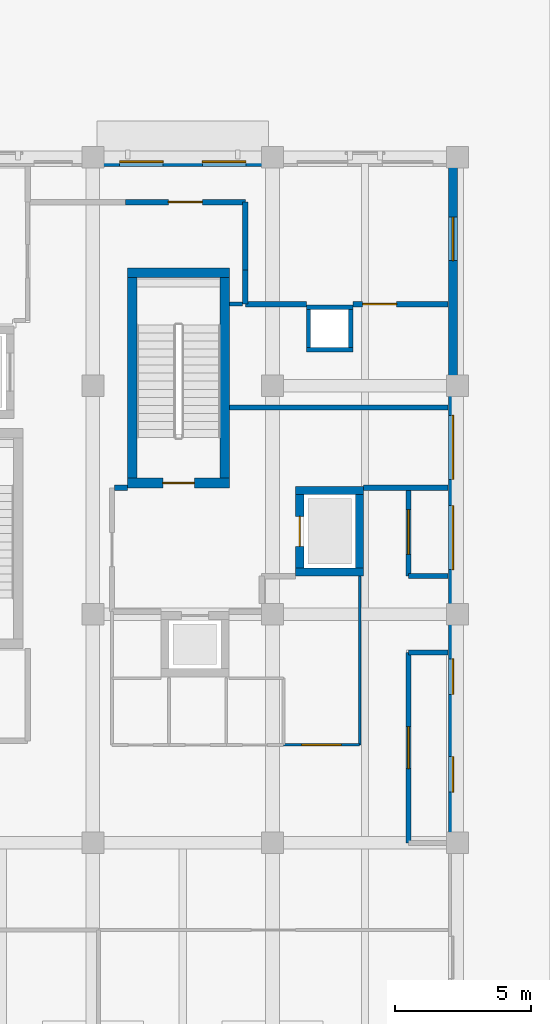
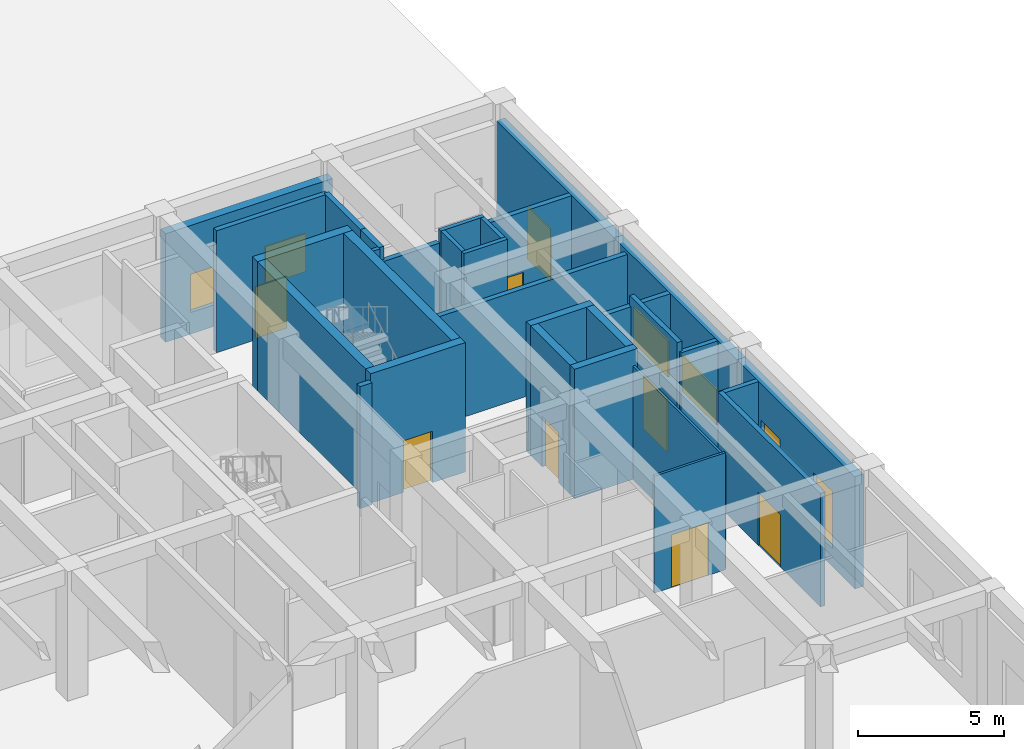
# One storey, part 63 of 82: 31 walls, 8 doors, 6 windows, 14 openings.
"""IFC4 building model written with IfcOpenShell, lengths in metres."""

from ifc_helpers import new_model, si_unit, direction, frame, frame_2d, origin, place, context, subcontext, project, spatial, rectangle, extrude, material, layer, layer_set, type_object, element, fill, save


model = new_model("IFC4")

# Units and contexts
model_context = context("Model", 3, precision=1e-05, world=origin(), true_north=direction((0.0, 1.0)))
body_context = subcontext(model_context, "Body", "Model", "MODEL_VIEW")
ifc_project = project(units=[si_unit("LENGTHUNIT", "METRE"), si_unit("AREAUNIT", "SQUARE_METRE"), si_unit("VOLUMEUNIT", "CUBIC_METRE"), si_unit("PLANEANGLEUNIT", "RADIAN"), si_unit("MASSUNIT", "GRAM", prefix="KILO")], contexts=[model_context])

# Site, building, storey
site_placement = place(None, origin())
site = spatial("IfcSite", under=ifc_project, at=site_placement, CompositionType="ELEMENT")
building_placement = place(site_placement, origin())
building = spatial("IfcBuilding", under=site, at=building_placement, Name="Kolvaren Faculty of Natural Sciences", CompositionType="ELEMENT")
storey_placement = place(building_placement, origin())
storey = spatial("IfcBuildingStorey", under=building, at=storey_placement, Name="L00", CompositionType="ELEMENT", Elevation=0.0)

# Wall, opening, door
ifc_material_1 = material(Name="Concrete C40/50", Category="concrete")
ifc_layer_1 = layer(ifc_material_1, 0.35009765625)
ifc_layer_set_1 = layer_set([ifc_layer_1], Name="Concrete C40/50")
wall_type_1 = type_object("IfcWallType", Name="CoreShearWall_350", PredefinedType="SHEAR", material=ifc_layer_set_1)
wall_1_placement = place(storey_placement, frame((163.625, 72.22509765625, 0.0), z_axis=(0.0, 0.0, 1.0), x_axis=(-1.0, 0.0, 0.0)))
wall_1 = element("IfcWall", 1, at=wall_1_placement, inside=storey, type_object=wall_type_1, Name="L00 CORE-C1 stair shear wall S", PredefinedType="SHEAR", context=body_context, shape_type="SweptSolid", body=[
    extrude(rectangle(XDim=3.75, YDim=0.35009765625, at=frame_2d((1.875, 0.0))), origin(), (0.0, 0.0, 1.0), 5.39990234375),
])
opening_1_placement = place(wall_1_placement, frame((1.300048828125, 0.0, 0.0)))
opening_1 = element("IfcOpeningElement", 2, at=opening_1_placement, cuts=wall_1, Name="Opening FD90", PredefinedType="OPENING", context=body_context, shape_type="SweptSolid", body=[
    extrude(rectangle(XDim=1.14990234375, YDim=2.14990234375, at=frame_2d((0.574951171875, 1.074951171875))), frame((0.0, 0.18505859375, 0.0), z_axis=(0.0, -1.0, 0.0), x_axis=(1.0, 0.0, 0.0)), (0.0, 0.0, 1.0), 0.3701171875),
])
ifc_material_2 = material(Name="Fire-rated solid-core hardwood door leaf in steel frame", Category="steel")
door_type_1 = type_object("IfcDoorType", Name="StairCoreFireDoor_1150x2150", OperationType="NOTDEFINED", PredefinedType="DOOR", material=ifc_material_2)
door_1_placement = place(opening_1_placement, origin())
door_1 = element("IfcDoor", 3, at=door_1_placement, inside=storey, type_object=door_type_1, Name="D-ST-ST-1-L00", OperationType="SINGLE_SWING_RIGHT", OverallHeight=2.14990234375, OverallWidth=1.14990234375, PredefinedType="DOOR", context=body_context, shape_type="SweptSolid", body=[
    extrude(rectangle(XDim=1.14990234375, YDim=2.14990234375, at=frame_2d((0.574951171875, 1.074951171875))), frame((0.0, 0.02490234375, 0.0), z_axis=(0.0, -1.0, 0.0), x_axis=(1.0, 0.0, 0.0)), (0.0, 0.0, 1.0), 0.050048828125),
])
fill(opening_1, door_1)

# Walls
wall_2_placement = place(storey_placement, frame((159.875, 79.949951171875, 0.0), z_axis=(0.0, 0.0, 1.0), x_axis=(1.0, 0.0, 0.0)))
element("IfcWall", 4, at=wall_2_placement, inside=storey, type_object=wall_type_1, Name="L00 CORE-C1 stair shear wall N", PredefinedType="SHEAR", context=body_context, shape_type="SweptSolid", body=[
    extrude(rectangle(XDim=3.75, YDim=0.35009765625, at=frame_2d((1.875, 0.0))), origin(), (0.0, 0.0, 1.0), 5.39990234375),
])
for number, where, z_axis, x_axis, name in (
    (5, (160.050048828125, 72.39990234375, 0.0), (0.0, 0.0, 1.0), (0.0, 1.0, 0.0), "L00 CORE-C1 stair shear wall W"),
    (6, (163.449951171875, 72.39990234375, 0.0), (0.0, 0.0, 1.0), (0.0, 1.0, 0.0), "L00 CORE-C1 stair shear wall E"),
):
    element("IfcWall", number, at=place(storey_placement, frame(where, z_axis=z_axis, x_axis=x_axis)), inside=storey, type_object=wall_type_1, Name=name, PredefinedType="SHEAR", context=body_context, shape_type="SweptSolid", body=[
        extrude(rectangle(XDim=7.375, YDim=0.35009765625, at=frame_2d((3.6875, 0.0))), origin(), (0.0, 0.0, 1.0), 5.39990234375),
    ])
ifc_material_3 = material(Name="Acoustic mineral-wool insulated gypsum partition")
ifc_layer_2 = layer(ifc_material_3, 0.094970703125)
ifc_layer_set_2 = layer_set([ifc_layer_2], Name="Acoustic mineral-wool insulated gypsum partition")
wall_type_2 = type_object("IfcWallType", Name="CubiclePartition_095", PredefinedType="PARTITIONING", material=ifc_layer_set_2)
wall_3_placement = place(storey_placement, frame((168.39990234375, 68.798095703125, 0.0), z_axis=(0.0, 0.0, 1.0), x_axis=(0.0, -1.0, 0.0)))
element("IfcWall", 7, at=wall_3_placement, inside=storey, type_object=wall_type_2, Name="L00 interior partition PW-095", PredefinedType="PARTITIONING", context=body_context, shape_type="SweptSolid", body=[
    extrude(rectangle(XDim=6.197998046875, YDim=0.094970703125, at=frame_2d((3.09912109375, 0.0))), origin(), (0.0, 0.0, 1.0), 4.735107421875),
])

# Wall, opening, door
wall_4_placement = place(storey_placement, frame((168.39990234375, 62.60009765625, 0.0), z_axis=(0.0, 0.0, 1.0), x_axis=(-1.0, 0.0, 0.0)))
wall_4 = element("IfcWall", 8, at=wall_4_placement, inside=storey, type_object=wall_type_2, Name="L00 interior partition PW-095", PredefinedType="PARTITIONING", context=body_context, shape_type="SweptSolid", body=[
    extrude(rectangle(XDim=2.7998046875, YDim=0.094970703125, at=frame_2d((1.39990234375, 0.0))), origin(), (0.0, 0.0, 1.0), 4.885009765625),
])
opening_2_placement = place(wall_4_placement, frame((0.669921875, 0.0, 0.0)))
opening_2 = element("IfcOpeningElement", 9, at=opening_2_placement, cuts=wall_4, Name="Opening ID-32", PredefinedType="OPENING", context=body_context, shape_type="SweptSolid", body=[
    extrude(rectangle(XDim=1.4599609375, YDim=2.199951171875, at=frame_2d((0.72998046875, 1.10009765625))), frame((0.0, 0.057373046875, 0.0), z_axis=(0.0, -1.0, 0.0), x_axis=(1.0, 0.0, 0.0)), (0.0, 0.0, 1.0), 0.114990234375),
])
ifc_material_4 = material(Name="Thermally broken anodised aluminium glazed door", Category="aluminium")
door_type_2 = type_object("IfcDoorType", Name="InteriorRoomDoor_1460x2200", OperationType="DOUBLE_DOOR_SINGLE_SWING", PredefinedType="DOOR", material=ifc_material_4)
door_2_placement = place(opening_2_placement, origin())
door_2 = element("IfcDoor", 10, at=door_2_placement, inside=storey, type_object=door_type_2, Name="D-L00-0095", OperationType="DOUBLE_DOOR_SINGLE_SWING", OverallHeight=2.199951171875, OverallWidth=1.4599609375, PredefinedType="DOOR", context=body_context, shape_type="SweptSolid", body=[
    extrude(rectangle(XDim=1.4599609375, YDim=2.199951171875, at=frame_2d((0.72998046875, 1.10009765625))), frame((0.0, 0.02490234375, 0.0), z_axis=(0.0, -1.0, 0.0), x_axis=(1.0, 0.0, 0.0)), (0.0, 0.0, 1.0), 0.050048828125),
])
fill(opening_2, door_2)

# Wall, openings, windows
ifc_material_5 = material(Name="Sandstone-faced insulated cavity masonry", Category="masonry")
ifc_layer_3 = layer(ifc_material_5, 0.340087890625)
ifc_layer_set_3 = layer_set([ifc_layer_3], Name="Sandstone-faced insulated cavity masonry")
wall_type_3 = type_object("IfcWallType", Name="ExteriorCavityWall_340", PredefinedType="STANDARD", material=ifc_layer_set_3)
wall_5_placement = place(storey_placement, frame((158.60009765625, 84.030029296875, 0.0), z_axis=(0.0, 0.0, 1.0), x_axis=(1.0, 0.0, 0.0)))
wall_5 = element("IfcWall", 11, at=wall_5_placement, inside=storey, type_object=wall_type_3, Name="L00 exterior masonry wall EW-340 (116)", PredefinedType="STANDARD", context=body_context, shape_type="SweptSolid", body=[
    extrude(rectangle(XDim=6.599853515625, YDim=0.340087890625, at=frame_2d((3.2998046875, 0.0))), origin(), (0.0, 0.0, 1.0), 4.534912109375),
])
opening_3_placement = place(wall_5_placement, frame((0.98193359375, 0.0, 0.89990234375)))
opening_3 = element("IfcOpeningElement", 12, at=opening_3_placement, cuts=wall_5, Name="Opening WIN-15", PredefinedType="OPENING", context=body_context, shape_type="SweptSolid", body=[
    extrude(rectangle(XDim=1.60009765625, YDim=1.60009765625, at=frame_2d((0.800048828125, 0.800048828125))), frame((0.0, 0.179931640625, 0.0), z_axis=(0.0, -1.0, 0.0), x_axis=(1.0, 0.0, 0.0)), (0.0, 0.0, 1.0), 0.360107421875),
])
opening_4_placement = place(wall_5_placement, frame((4.01806640625, 0.0, 0.89990234375)))
opening_4 = element("IfcOpeningElement", 13, at=opening_4_placement, cuts=wall_5, Name="Opening WIN-15", PredefinedType="OPENING", context=body_context, shape_type="SweptSolid", body=[
    extrude(rectangle(XDim=1.60009765625, YDim=1.60009765625, at=frame_2d((0.800048828125, 0.800048828125))), frame((0.0, 0.179931640625, 0.0), z_axis=(0.0, -1.0, 0.0), x_axis=(1.0, 0.0, 0.0)), (0.0, 0.0, 1.0), 0.360107421875),
])
ifc_material_6 = material(Name="Double low-E solar control insulated glazing", Category="glass")
window_type_1 = type_object("IfcWindowType", Name="AluWindow_WIN15_1600x1600", PartitioningType="SINGLE_PANEL", PredefinedType="WINDOW", material=ifc_material_6)
window_1_placement = place(opening_3_placement, origin())
window_1 = element("IfcWindow", 14, at=window_1_placement, inside=storey, type_object=window_type_1, Name="WIN-L00-0107", OverallHeight=1.60009765625, OverallWidth=1.60009765625, PartitioningType="SINGLE_PANEL", PredefinedType="WINDOW", context=body_context, shape_type="SweptSolid", body=[
    extrude(rectangle(XDim=1.60009765625, YDim=1.60009765625, at=frame_2d((0.800048828125, 0.800048828125))), frame((0.0, 0.030029296875, 0.0), z_axis=(0.0, -1.0, 0.0), x_axis=(1.0, 0.0, 0.0)), (0.0, 0.0, 1.0), 0.06005859375),
])
fill(opening_3, window_1)
window_2_placement = place(opening_4_placement, origin())
window_2 = element("IfcWindow", 15, at=window_2_placement, inside=storey, type_object=window_type_1, Name="WIN-L00-0108", OverallHeight=1.60009765625, OverallWidth=1.60009765625, PartitioningType="SINGLE_PANEL", PredefinedType="WINDOW", context=body_context, shape_type="SweptSolid", body=[
    extrude(rectangle(XDim=1.60009765625, YDim=1.60009765625, at=frame_2d((0.800048828125, 0.800048828125))), frame((0.0, 0.030029296875, 0.0), z_axis=(0.0, -1.0, 0.0), x_axis=(1.0, 0.0, 0.0)), (0.0, 0.0, 1.0), 0.06005859375),
])
fill(opening_4, window_2)

# Wall, opening, door
wall_6_placement = place(storey_placement, frame((171.830078125, 83.860107421875, 0.0), z_axis=(0.0, 0.0, 1.0), x_axis=(0.0, -1.0, 0.0)))
wall_6 = element("IfcWall", 16, at=wall_6_placement, inside=storey, type_object=wall_type_3, Name="L00 exterior masonry wall EW-340 (118)", PredefinedType="STANDARD", context=body_context, shape_type="SweptSolid", body=[
    extrude(rectangle(XDim=8.06005859375, YDim=0.340087890625, at=frame_2d((4.030029296875, 0.0))), origin(), (0.0, 0.0, 1.0), 4.68505859375),
])
opening_5_placement = place(wall_6_placement, frame((1.860107421875, 0.0, 0.0)))
opening_5 = element("IfcOpeningElement", 17, at=opening_5_placement, cuts=wall_6, Name="Opening ED-03", PredefinedType="OPENING", context=body_context, shape_type="SweptSolid", body=[
    extrude(rectangle(XDim=1.60009765625, YDim=2.199951171875, at=frame_2d((0.800048828125, 1.10009765625))), frame((0.0, 0.179931640625, 0.0), z_axis=(0.0, -1.0, 0.0), x_axis=(1.0, 0.0, 0.0)), (0.0, 0.0, 1.0), 0.360107421875),
])
ifc_material_7 = material(Name="Thermally broken anodised aluminium framing", Category="aluminium")
door_type_3 = type_object("IfcDoorType", Name="FinalExitDoubleDoor_1600x2200", OperationType="DOUBLE_DOOR_SINGLE_SWING", PredefinedType="DOOR", material=ifc_material_7)
door_3_placement = place(opening_5_placement, origin())
door_3 = element("IfcDoor", 18, at=door_3_placement, inside=storey, type_object=door_type_3, Name="D-L00-EX-11", OperationType="DOUBLE_DOOR_SINGLE_SWING", OverallHeight=2.199951171875, OverallWidth=1.60009765625, PredefinedType="DOOR", context=body_context, shape_type="SweptSolid", body=[
    extrude(rectangle(XDim=1.60009765625, YDim=2.199951171875, at=frame_2d((0.800048828125, 1.10009765625))), frame((0.0, 0.02490234375, 0.0), z_axis=(0.0, -1.0, 0.0), x_axis=(1.0, 0.0, 0.0)), (0.0, 0.0, 1.0), 0.050048828125),
])
fill(opening_5, door_3)

# Wall, openings, windows
wall_7_placement = place(storey_placement, frame((171.830078125, 75.800048828125, 0.0), z_axis=(0.0, 0.0, 1.0), x_axis=(0.0, -1.0, 0.0)))
wall_7 = element("IfcWall", 19, at=wall_7_placement, inside=storey, type_object=wall_type_3, Name="L00 exterior masonry wall EW-340 (119)", PredefinedType="STANDARD", context=body_context, shape_type="SweptSolid", body=[
    extrude(rectangle(XDim=8.400146484375, YDim=0.340087890625, at=frame_2d((4.2001953125, 0.0))), origin(), (0.0, 0.0, 1.0), 4.68505859375),
])
opening_6_placement = place(wall_7_placement, frame((1.093017578125, 0.0, 0.89990234375)))
opening_6 = element("IfcOpeningElement", 20, at=opening_6_placement, cuts=wall_7, Name="Opening WIN-18", PredefinedType="OPENING", context=body_context, shape_type="SweptSolid", body=[
    extrude(rectangle(XDim=2.35009765625, YDim=1.5, at=frame_2d((1.175048828125, 0.75))), frame((0.0, 0.179931640625, 0.0), z_axis=(0.0, -1.0, 0.0), x_axis=(1.0, 0.0, 0.0)), (0.0, 0.0, 1.0), 0.360107421875),
])
opening_7_placement = place(wall_7_placement, frame((4.409912109375, 0.0, 0.89990234375)))
opening_7 = element("IfcOpeningElement", 21, at=opening_7_placement, cuts=wall_7, Name="Opening WIN-18", PredefinedType="OPENING", context=body_context, shape_type="SweptSolid", body=[
    extrude(rectangle(XDim=2.35009765625, YDim=1.5, at=frame_2d((1.175048828125, 0.75))), frame((0.0, 0.179931640625, 0.0), z_axis=(0.0, -1.0, 0.0), x_axis=(1.0, 0.0, 0.0)), (0.0, 0.0, 1.0), 0.360107421875),
])
window_type_2 = type_object("IfcWindowType", Name="AluWindow_WIN18_2350x1500", PartitioningType="SINGLE_PANEL", PredefinedType="WINDOW", material=ifc_material_6)
window_3_placement = place(opening_6_placement, origin())
window_3 = element("IfcWindow", 22, at=window_3_placement, inside=storey, type_object=window_type_2, Name="WIN-L00-0111", OverallHeight=1.5, OverallWidth=2.35009765625, PartitioningType="SINGLE_PANEL", PredefinedType="WINDOW", context=body_context, shape_type="SweptSolid", body=[
    extrude(rectangle(XDim=2.35009765625, YDim=1.5, at=frame_2d((1.175048828125, 0.75))), frame((0.0, 0.030029296875, 0.0), z_axis=(0.0, -1.0, 0.0), x_axis=(1.0, 0.0, 0.0)), (0.0, 0.0, 1.0), 0.06005859375),
])
fill(opening_6, window_3)
window_4_placement = place(opening_7_placement, origin())
window_4 = element("IfcWindow", 23, at=window_4_placement, inside=storey, type_object=window_type_2, Name="WIN-L00-0112", OverallHeight=1.5, OverallWidth=2.35009765625, PartitioningType="SINGLE_PANEL", PredefinedType="WINDOW", context=body_context, shape_type="SweptSolid", body=[
    extrude(rectangle(XDim=2.35009765625, YDim=1.5, at=frame_2d((1.175048828125, 0.75))), frame((0.0, 0.030029296875, 0.0), z_axis=(0.0, -1.0, 0.0), x_axis=(1.0, 0.0, 0.0)), (0.0, 0.0, 1.0), 0.06005859375),
])
fill(opening_7, window_4)

wall_8_placement = place(storey_placement, frame((171.830078125, 67.39990234375, 0.0), z_axis=(0.0, 0.0, 1.0), x_axis=(0.0, -1.0, 0.0)))
wall_8 = element("IfcWall", 24, at=wall_8_placement, inside=storey, type_object=wall_type_3, Name="L00 exterior masonry wall EW-340 (120)", PredefinedType="STANDARD", context=body_context, shape_type="SweptSolid", body=[
    extrude(rectangle(XDim=8.059814453125, YDim=0.340087890625, at=frame_2d((4.02978515625, 0.0))), origin(), (0.0, 0.0, 1.0), 4.68505859375),
])
opening_8_placement = place(wall_8_placement, frame((1.639892578125, 0.0, 0.75)))
opening_8 = element("IfcOpeningElement", 25, at=opening_8_placement, cuts=wall_8, Name="Opening WIN-19", PredefinedType="OPENING", context=body_context, shape_type="SweptSolid", body=[
    extrude(rectangle(XDim=1.300048828125, YDim=2.39990234375, at=frame_2d((0.64990234375, 1.199951171875))), frame((0.0, 0.179931640625, 0.0), z_axis=(0.0, -1.0, 0.0), x_axis=(1.0, 0.0, 0.0)), (0.0, 0.0, 1.0), 0.360107421875),
])
opening_9_placement = place(wall_8_placement, frame((5.23388671875, 0.0, 0.75)))
opening_9 = element("IfcOpeningElement", 26, at=opening_9_placement, cuts=wall_8, Name="Opening WIN-19", PredefinedType="OPENING", context=body_context, shape_type="SweptSolid", body=[
    extrude(rectangle(XDim=1.300048828125, YDim=2.39990234375, at=frame_2d((0.64990234375, 1.199951171875))), frame((0.0, 0.179931640625, 0.0), z_axis=(0.0, -1.0, 0.0), x_axis=(1.0, 0.0, 0.0)), (0.0, 0.0, 1.0), 0.360107421875),
])
window_type_3 = type_object("IfcWindowType", Name="AluWindow_WIN19_1300x2400", PartitioningType="SINGLE_PANEL", PredefinedType="WINDOW", material=ifc_material_6)
window_5_placement = place(opening_8_placement, origin())
window_5 = element("IfcWindow", 27, at=window_5_placement, inside=storey, type_object=window_type_3, Name="WIN-L00-0113", OverallHeight=2.39990234375, OverallWidth=1.300048828125, PartitioningType="SINGLE_PANEL", PredefinedType="WINDOW", context=body_context, shape_type="SweptSolid", body=[
    extrude(rectangle(XDim=1.300048828125, YDim=2.39990234375, at=frame_2d((0.64990234375, 1.199951171875))), frame((0.0, 0.030029296875, 0.0), z_axis=(0.0, -1.0, 0.0), x_axis=(1.0, 0.0, 0.0)), (0.0, 0.0, 1.0), 0.06005859375),
])
fill(opening_8, window_5)
window_6_placement = place(opening_9_placement, origin())
window_6 = element("IfcWindow", 28, at=window_6_placement, inside=storey, type_object=window_type_3, Name="WIN-L00-0114", OverallHeight=2.39990234375, OverallWidth=1.300048828125, PartitioningType="SINGLE_PANEL", PredefinedType="WINDOW", context=body_context, shape_type="SweptSolid", body=[
    extrude(rectangle(XDim=1.300048828125, YDim=2.39990234375, at=frame_2d((0.64990234375, 1.199951171875))), frame((0.0, 0.030029296875, 0.0), z_axis=(0.0, -1.0, 0.0), x_axis=(1.0, 0.0, 0.0)), (0.0, 0.0, 1.0), 0.06005859375),
])
fill(opening_9, window_6)

# Walls
ifc_material_8 = material(Name="Autoclaved aerated fire-rated masonry blockwork", Category="masonry")
ifc_layer_4 = layer(ifc_material_8, 0.199951171875)
ifc_layer_set_4 = layer_set([ifc_layer_4], Name="Autoclaved aerated fire-rated masonry blockwork")
wall_type_4 = type_object("IfcWallType", Name="FireLobbyWall_200", PredefinedType="PARTITIONING", material=ifc_layer_set_4)
wall_9_placement = place(storey_placement, frame((163.626953125, 75.0, 0.0), z_axis=(0.0, 0.0, 1.0), x_axis=(1.0, 0.0, 0.0)))
element("IfcWall", 29, at=wall_9_placement, inside=storey, type_object=wall_type_4, Name="L00 interior partition FW-200", PredefinedType="PARTITIONING", context=body_context, shape_type="SweptSolid", body=[
    extrude(rectangle(XDim=8.031005859375, YDim=0.199951171875, at=frame_2d((4.015625, 0.0))), origin(), (0.0, 0.0, 1.0), 4.534912109375),
])
wall_10_placement = place(storey_placement, frame((171.657958984375, 72.050048828125, 0.0), z_axis=(0.0, 0.0, 1.0), x_axis=(-1.0, 0.0, 0.0)))
element("IfcWall", 30, at=wall_10_placement, inside=storey, type_object=wall_type_4, Name="L00 interior partition FW-200", PredefinedType="PARTITIONING", context=body_context, shape_type="SweptSolid", body=[
    extrude(rectangle(XDim=3.10791015625, YDim=0.199951171875, at=frame_2d((1.553955078125, 0.0))), origin(), (0.0, 0.0, 1.0), 4.68505859375),
])
wall_11_placement = place(storey_placement, frame((159.39990234375, 72.050048828125, 0.0), z_axis=(0.0, 0.0, 1.0), x_axis=(1.0, 0.0, 0.0)))
element("IfcWall", 31, at=wall_11_placement, inside=storey, type_object=wall_type_4, Name="L00 interior partition FW-200", PredefinedType="PARTITIONING", context=body_context, shape_type="SweptSolid", body=[
    extrude(rectangle(XDim=0.47509765625, YDim=0.199951171875, at=frame_2d((0.237548828125, 0.0))), origin(), (0.0, 0.0, 1.0), 5.094970703125),
])

# Wall, opening, door
wall_12_placement = place(storey_placement, frame((164.199951171875, 82.550048828125, 0.0), z_axis=(0.0, 0.0, 1.0), x_axis=(-1.0, 0.0, 0.0)))
wall_12 = element("IfcWall", 32, at=wall_12_placement, inside=storey, type_object=wall_type_4, Name="L00 interior partition FW-200", PredefinedType="PARTITIONING", context=body_context, shape_type="SweptSolid", body=[
    extrude(rectangle(XDim=4.39990234375, YDim=0.199951171875, at=frame_2d((2.199951171875, 0.0))), origin(), (0.0, 0.0, 1.0), 5.094970703125),
])
opening_10_placement = place(wall_12_placement, frame((1.574951171875, 0.0, 0.0)))
opening_10 = element("IfcOpeningElement", 33, at=opening_10_placement, cuts=wall_12, Name="Opening FD60", PredefinedType="OPENING", context=body_context, shape_type="SweptSolid", body=[
    extrude(rectangle(XDim=1.25, YDim=2.14990234375, at=frame_2d((0.625, 1.074951171875))), frame((0.0, 0.10986328125, 0.0), z_axis=(0.0, -1.0, 0.0), x_axis=(1.0, 0.0, 0.0)), (0.0, 0.0, 1.0), 0.219970703125),
])
door_type_4 = type_object("IfcDoorType", Name="RescueLobbyFireDoor_1250x2150", OperationType="NOTDEFINED", PredefinedType="DOOR", material=ifc_material_2)
door_4_placement = place(opening_10_placement, origin())
door_4 = element("IfcDoor", 34, at=door_4_placement, inside=storey, type_object=door_type_4, Name="D-L00-0028", OperationType="SINGLE_SWING_LEFT", OverallHeight=2.14990234375, OverallWidth=1.25, PredefinedType="DOOR", context=body_context, shape_type="SweptSolid", body=[
    extrude(rectangle(XDim=1.25, YDim=2.14990234375, at=frame_2d((0.625, 1.074951171875))), frame((0.0, 0.02490234375, 0.0), z_axis=(0.0, -1.0, 0.0), x_axis=(1.0, 0.0, 0.0)), (0.0, 0.0, 1.0), 0.050048828125),
])
fill(opening_10, door_4)

wall_13_placement = place(storey_placement, frame((171.657958984375, 78.800048828125, 0.0), z_axis=(0.0, 0.0, 1.0), x_axis=(-1.0, 0.0, 0.0)))
wall_13 = element("IfcWall", 35, at=wall_13_placement, inside=storey, type_object=wall_type_4, Name="L00 interior partition FW-200", PredefinedType="PARTITIONING", context=body_context, shape_type="SweptSolid", body=[
    extrude(rectangle(XDim=3.498046875, YDim=0.199951171875, at=frame_2d((1.7490234375, 0.0))), origin(), (0.0, 0.0, 1.0), 4.68505859375),
])
opening_11_placement = place(wall_13_placement, frame((1.8935546875, 0.0, 0.0)))
opening_11 = element("IfcOpeningElement", 36, at=opening_11_placement, cuts=wall_13, Name="Opening FD60", PredefinedType="OPENING", context=body_context, shape_type="SweptSolid", body=[
    extrude(rectangle(XDim=1.25, YDim=2.14990234375, at=frame_2d((0.625, 1.074951171875))), frame((0.0, 0.10986328125, 0.0), z_axis=(0.0, -1.0, 0.0), x_axis=(1.0, 0.0, 0.0)), (0.0, 0.0, 1.0), 0.219970703125),
])
door_5_placement = place(opening_11_placement, origin())
door_5 = element("IfcDoor", 37, at=door_5_placement, inside=storey, type_object=door_type_4, Name="D-L00-0037", OperationType="SINGLE_SWING_RIGHT", OverallHeight=2.14990234375, OverallWidth=1.25, PredefinedType="DOOR", context=body_context, shape_type="SweptSolid", body=[
    extrude(rectangle(XDim=1.25, YDim=2.14990234375, at=frame_2d((0.625, 1.074951171875))), frame((0.0, 0.02490234375, 0.0), z_axis=(0.0, -1.0, 0.0), x_axis=(1.0, 0.0, 0.0)), (0.0, 0.0, 1.0), 0.050048828125),
])
fill(opening_11, door_5)

# Walls
wall_14_placement = place(storey_placement, frame((166.43994140625, 78.800048828125, 0.0), z_axis=(0.0, 0.0, 1.0), x_axis=(-1.0, 0.0, 0.0)))
element("IfcWall", 38, at=wall_14_placement, inside=storey, type_object=wall_type_4, Name="L00 interior partition FW-200", PredefinedType="PARTITIONING", context=body_context, shape_type="SweptSolid", body=[
    extrude(rectangle(XDim=2.239990234375, YDim=0.199951171875, at=frame_2d((1.1201171875, 0.0))), origin(), (0.0, 0.0, 1.0), 4.534912109375),
])
wall_15_placement = place(storey_placement, frame((164.199951171875, 78.800048828125, 0.0), z_axis=(0.0, 0.0, 1.0), x_axis=(0.0, 1.0, 0.0)))
element("IfcWall", 39, at=wall_15_placement, inside=storey, type_object=wall_type_4, Name="L00 interior partition FW-200", PredefinedType="PARTITIONING", context=body_context, shape_type="SweptSolid", body=[
    extrude(rectangle(XDim=1.25, YDim=0.199951171875, at=frame_2d((0.625, 0.0))), origin(), (0.0, 0.0, 1.0), 5.094970703125),
])
wall_16_placement = place(storey_placement, frame((164.199951171875, 80.050048828125, 0.0), z_axis=(0.0, 0.0, 1.0), x_axis=(0.0, 1.0, 0.0)))
element("IfcWall", 40, at=wall_16_placement, inside=storey, type_object=wall_type_4, Name="L00 interior partition FW-200", PredefinedType="PARTITIONING", context=body_context, shape_type="SweptSolid", body=[
    extrude(rectangle(XDim=2.5, YDim=0.199951171875, at=frame_2d((1.25, 0.0))), origin(), (0.0, 0.0, 1.0), 5.094970703125),
])
ifc_layer_5 = layer(ifc_material_3, 0.179931640625)
ifc_layer_set_5 = layer_set([ifc_layer_5], Name="Acoustic mineral-wool insulated gypsum partition")
wall_type_5 = type_object("IfcWallType", Name="LabPartitionWall_180", PredefinedType="PARTITIONING", material=ifc_layer_set_5)
wall_17_placement = place(storey_placement, frame((171.657958984375, 68.800048828125, 0.0), z_axis=(0.0, 0.0, 1.0), x_axis=(-1.0, 0.0, 0.0)))
element("IfcWall", 41, at=wall_17_placement, inside=storey, type_object=wall_type_5, Name="L00 interior partition PW-180", PredefinedType="PARTITIONING", context=body_context, shape_type="SweptSolid", body=[
    extrude(rectangle(XDim=1.4580078125, YDim=0.179931640625, at=frame_2d((0.72900390625, 0.0))), origin(), (0.0, 0.0, 1.0), 4.68505859375),
])

# Wall, opening, door
wall_18_placement = place(storey_placement, frame((170.199951171875, 68.800048828125, 0.0), z_axis=(0.0, 0.0, 1.0), x_axis=(0.0, 1.0, 0.0)))
wall_18 = element("IfcWall", 42, at=wall_18_placement, inside=storey, type_object=wall_type_5, Name="L00 interior partition PW-180", PredefinedType="PARTITIONING", context=body_context, shape_type="SweptSolid", body=[
    extrude(rectangle(XDim=3.25, YDim=0.179931640625, at=frame_2d((1.625, 0.0))), origin(), (0.0, 0.0, 1.0), 5.094970703125),
])
opening_12_placement = place(wall_18_placement, frame((0.804931640625, 0.0, 0.0)))
opening_12 = element("IfcOpeningElement", 43, at=opening_12_placement, cuts=wall_18, Name="Opening ID-34", PredefinedType="OPENING", context=body_context, shape_type="SweptSolid", body=[
    extrude(rectangle(XDim=1.639892578125, YDim=2.199951171875, at=frame_2d((0.81982421875, 1.10009765625))), frame((0.0, 0.099853515625, 0.0), z_axis=(0.0, -1.0, 0.0), x_axis=(1.0, 0.0, 0.0)), (0.0, 0.0, 1.0), 0.199951171875),
])
door_type_5 = type_object("IfcDoorType", Name="InteriorRoomDoor_1640x2200", OperationType="DOUBLE_DOOR_SINGLE_SWING", PredefinedType="DOOR", material=ifc_material_4)
door_6_placement = place(opening_12_placement, origin())
door_6 = element("IfcDoor", 44, at=door_6_placement, inside=storey, type_object=door_type_5, Name="D-L00-0097", OperationType="DOUBLE_DOOR_SINGLE_SWING", OverallHeight=2.199951171875, OverallWidth=1.639892578125, PredefinedType="DOOR", context=body_context, shape_type="SweptSolid", body=[
    extrude(rectangle(XDim=1.639892578125, YDim=2.199951171875, at=frame_2d((0.81982421875, 1.10009765625))), frame((0.0, 0.02490234375, 0.0), z_axis=(0.0, -1.0, 0.0), x_axis=(1.0, 0.0, 0.0)), (0.0, 0.0, 1.0), 0.050048828125),
])
fill(opening_12, door_6)

# Wall
ifc_layer_6 = layer(ifc_material_3, 0.18505859375)
ifc_layer_set_6 = layer_set([ifc_layer_6], Name="Acoustic mineral-wool insulated gypsum partition")
wall_type_6 = type_object("IfcWallType", Name="LabPartitionWall_185", PredefinedType="PARTITIONING", material=ifc_layer_set_6)
wall_19_placement = place(storey_placement, frame((170.199951171875, 66.0, 0.0), z_axis=(0.0, 0.0, 1.0), x_axis=(1.0, 0.0, 0.0)))
element("IfcWall", 45, at=wall_19_placement, inside=storey, type_object=wall_type_6, Name="L00 interior partition PW-185", PredefinedType="PARTITIONING", context=body_context, shape_type="SweptSolid", body=[
    extrude(rectangle(XDim=1.4580078125, YDim=0.18505859375, at=frame_2d((0.72900390625, 0.0))), origin(), (0.0, 0.0, 1.0), 4.68505859375),
])

# Wall, opening, door
wall_20_placement = place(storey_placement, frame((170.199951171875, 59.0, 0.0), z_axis=(0.0, 0.0, 1.0), x_axis=(0.0, 1.0, 0.0)))
wall_20 = element("IfcWall", 46, at=wall_20_placement, inside=storey, type_object=wall_type_6, Name="L00 interior partition PW-185", PredefinedType="PARTITIONING", context=body_context, shape_type="SweptSolid", body=[
    extrude(rectangle(XDim=7.0, YDim=0.18505859375, at=frame_2d((3.5, 0.0))), origin(), (0.0, 0.0, 1.0), 4.735107421875),
])
opening_13_placement = place(wall_20_placement, frame((2.72998046875, 0.0, 0.0)))
opening_13 = element("IfcOpeningElement", 47, at=opening_13_placement, cuts=wall_20, Name="Opening ID-33", PredefinedType="OPENING", context=body_context, shape_type="SweptSolid", body=[
    extrude(rectangle(XDim=1.5400390625, YDim=2.199951171875, at=frame_2d((0.77001953125, 1.10009765625))), frame((0.0, 0.1025390625, 0.0), z_axis=(0.0, -1.0, 0.0), x_axis=(1.0, 0.0, 0.0)), (0.0, 0.0, 1.0), 0.205078125),
])
door_type_6 = type_object("IfcDoorType", Name="InteriorRoomDoor_1540x2200", OperationType="DOUBLE_DOOR_SINGLE_SWING", PredefinedType="DOOR", material=ifc_material_4)
door_7_placement = place(opening_13_placement, origin())
door_7 = element("IfcDoor", 48, at=door_7_placement, inside=storey, type_object=door_type_6, Name="D-L00-0096", OperationType="DOUBLE_DOOR_SINGLE_SWING", OverallHeight=2.199951171875, OverallWidth=1.5400390625, PredefinedType="DOOR", context=body_context, shape_type="SweptSolid", body=[
    extrude(rectangle(XDim=1.5400390625, YDim=2.199951171875, at=frame_2d((0.77001953125, 1.10009765625))), frame((0.0, 0.02490234375, 0.0), z_axis=(0.0, -1.0, 0.0), x_axis=(1.0, 0.0, 0.0)), (0.0, 0.0, 1.0), 0.050048828125),
])
fill(opening_13, door_7)

# Walls
ifc_material_9 = material(Name="Double fire-rated gypsum board on 100 mm steel stud", Category="steel")
ifc_layer_7 = layer(ifc_material_9, 0.14990234375)
ifc_layer_set_7 = layer_set([ifc_layer_7], Name="Double fire-rated gypsum board on 100 mm steel stud")
wall_type_7 = type_object("IfcWallType", Name="RatedCorridorWall_150", PredefinedType="PARTITIONING", material=ifc_layer_set_7)
wall_21_placement = place(storey_placement, frame((163.626953125, 78.800048828125, 0.0), z_axis=(0.0, 0.0, 1.0), x_axis=(1.0, 0.0, 0.0)))
element("IfcWall", 49, at=wall_21_placement, inside=storey, type_object=wall_type_7, Name="L00 interior partition LW-150", PredefinedType="PARTITIONING", context=body_context, shape_type="SweptSolid", body=[
    extrude(rectangle(XDim=0.47314453125, YDim=0.14990234375, at=frame_2d((0.236572265625, 0.0))), origin(), (0.0, 0.0, 1.0), 5.094970703125),
])
ifc_layer_8 = layer(ifc_material_9, 0.159912109375)
ifc_layer_set_8 = layer_set([ifc_layer_8], Name="Double fire-rated gypsum board on 100 mm steel stud")
wall_type_8 = type_object("IfcWallType", Name="RiserShaftWall_160", PredefinedType="PARTITIONING", material=ifc_layer_set_8)
for number, where, z_axis, x_axis, name in (
    (50, (166.43994140625, 77.1201171875, 0.0), (0.0, 0.0, 1.0), (1.0, 0.0, 0.0), "L00 service riser shaft wall S"),
    (51, (166.43994140625, 78.679931640625, 0.0), (0.0, 0.0, 1.0), (1.0, 0.0, 0.0), "L00 service riser shaft wall N"),
):
    element("IfcWall", number, at=place(storey_placement, frame(where, z_axis=z_axis, x_axis=x_axis)), inside=storey, type_object=wall_type_8, Name=name, PredefinedType="PARTITIONING", context=body_context, shape_type="SweptSolid", body=[
        extrude(rectangle(XDim=1.719970703125, YDim=0.159912109375, at=frame_2d((0.85986328125, 0.0))), origin(), (0.0, 0.0, 1.0), 5.094970703125),
    ])
for number, where, z_axis, x_axis, name in (
    (52, (166.52001953125, 77.199951171875, 0.0), (0.0, 0.0, 1.0), (0.0, 1.0, 0.0), "L00 service riser shaft wall W"),
    (53, (168.080078125, 77.199951171875, 0.0), (0.0, 0.0, 1.0), (0.0, 1.0, 0.0), "L00 service riser shaft wall E"),
):
    element("IfcWall", number, at=place(storey_placement, frame(where, z_axis=z_axis, x_axis=x_axis)), inside=storey, type_object=wall_type_8, Name=name, PredefinedType="PARTITIONING", context=body_context, shape_type="SweptSolid", body=[
        extrude(rectangle(XDim=1.400146484375, YDim=0.159912109375, at=frame_2d((0.7001953125, 0.0))), origin(), (0.0, 0.0, 1.0), 5.094970703125),
    ])
ifc_layer_9 = layer(ifc_material_1, 0.300048828125)
ifc_layer_set_9 = layer_set([ifc_layer_9], Name="Concrete C40/50")
wall_type_9 = type_object("IfcWallType", Name="ShaftShearWall_300", PredefinedType="SHEAR", material=ifc_layer_set_9)
for number, where, z_axis, x_axis, name in (
    (54, (166.050048828125, 68.949951171875, 0.0), (0.0, 0.0, 1.0), (1.0, 0.0, 0.0), "L00 lift FL-1 shaft wall S"),
    (55, (166.050048828125, 71.949951171875, 0.0), (0.0, 0.0, 1.0), (1.0, 0.0, 0.0), "L00 lift FL-1 shaft wall N"),
):
    element("IfcWall", number, at=place(storey_placement, frame(where, z_axis=z_axis, x_axis=x_axis)), inside=storey, type_object=wall_type_9, Name=name, PredefinedType="SHEAR", context=body_context, shape_type="SweptSolid", body=[
        extrude(rectangle(XDim=2.5, YDim=0.300048828125, at=frame_2d((1.25, 0.0))), origin(), (0.0, 0.0, 1.0), 5.39990234375),
    ])

# Wall, opening, door
wall_22_placement = place(storey_placement, frame((166.199951171875, 69.10009765625, 0.0), z_axis=(0.0, 0.0, 1.0), x_axis=(0.0, 1.0, 0.0)))
wall_22 = element("IfcWall", 56, at=wall_22_placement, inside=storey, type_object=wall_type_9, Name="L00 lift FL-1 shaft wall W", PredefinedType="SHEAR", context=body_context, shape_type="SweptSolid", body=[
    extrude(rectangle(XDim=2.699951171875, YDim=0.300048828125, at=frame_2d((1.35009765625, 0.0))), origin(), (0.0, 0.0, 1.0), 5.39990234375),
])
opening_14_placement = place(wall_22_placement, frame((0.800048828125, 0.0, 0.0)))
opening_14 = element("IfcOpeningElement", 57, at=opening_14_placement, cuts=wall_22, Name="Opening LD-01", PredefinedType="OPENING", context=body_context, shape_type="SweptSolid", body=[
    extrude(rectangle(XDim=1.10009765625, YDim=2.10009765625, at=frame_2d((0.550048828125, 1.050048828125))), frame((0.0, 0.159912109375, 0.0), z_axis=(0.0, -1.0, 0.0), x_axis=(1.0, 0.0, 0.0)), (0.0, 0.0, 1.0), 0.320068359375),
])
ifc_material_10 = material(Name="Brushed stainless steel lift car and sliding door assembly", Category="steel")
door_type_7 = type_object("IfcDoorType", Name="LiftLandingSliding_1100x2100", OperationType="DOUBLE_DOOR_SLIDING", PredefinedType="DOOR", material=ifc_material_10)
door_8_placement = place(opening_14_placement, origin())
door_8 = element("IfcDoor", 58, at=door_8_placement, inside=storey, type_object=door_type_7, Name="D-LIFT-FL-1-L00", OperationType="DOUBLE_DOOR_SLIDING", OverallHeight=2.10009765625, OverallWidth=1.10009765625, PredefinedType="DOOR", context=body_context, shape_type="SweptSolid", body=[
    extrude(rectangle(XDim=1.10009765625, YDim=2.10009765625, at=frame_2d((0.550048828125, 1.050048828125))), frame((0.0, 0.02490234375, 0.0), z_axis=(0.0, -1.0, 0.0), x_axis=(1.0, 0.0, 0.0)), (0.0, 0.0, 1.0), 0.050048828125),
])
fill(opening_14, door_8)

# Wall
wall_23_placement = place(storey_placement, frame((168.39990234375, 69.10009765625, 0.0), z_axis=(0.0, 0.0, 1.0), x_axis=(0.0, 1.0, 0.0)))
element("IfcWall", 59, at=wall_23_placement, inside=storey, type_object=wall_type_9, Name="L00 lift FL-1 shaft wall E", PredefinedType="SHEAR", context=body_context, shape_type="SweptSolid", body=[
    extrude(rectangle(XDim=2.699951171875, YDim=0.300048828125, at=frame_2d((1.35009765625, 0.0))), origin(), (0.0, 0.0, 1.0), 5.39990234375),
])

save(model, "model.ifc")
